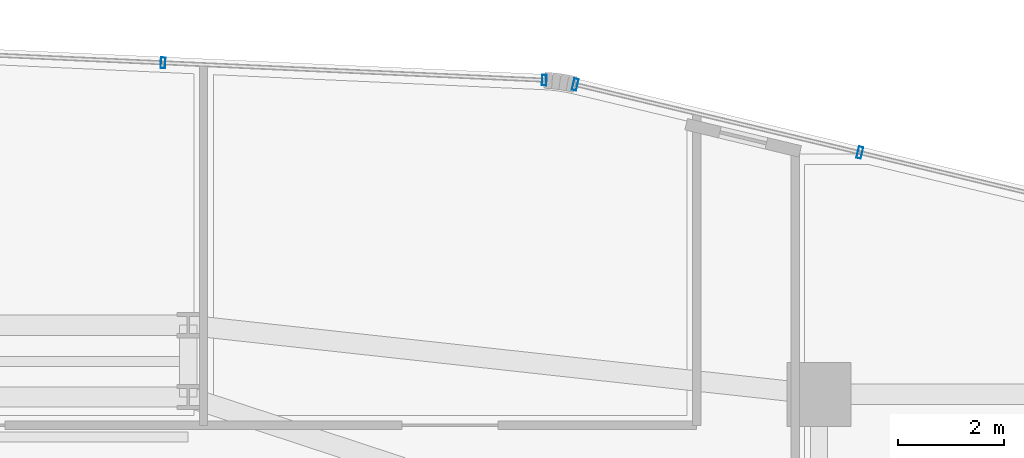
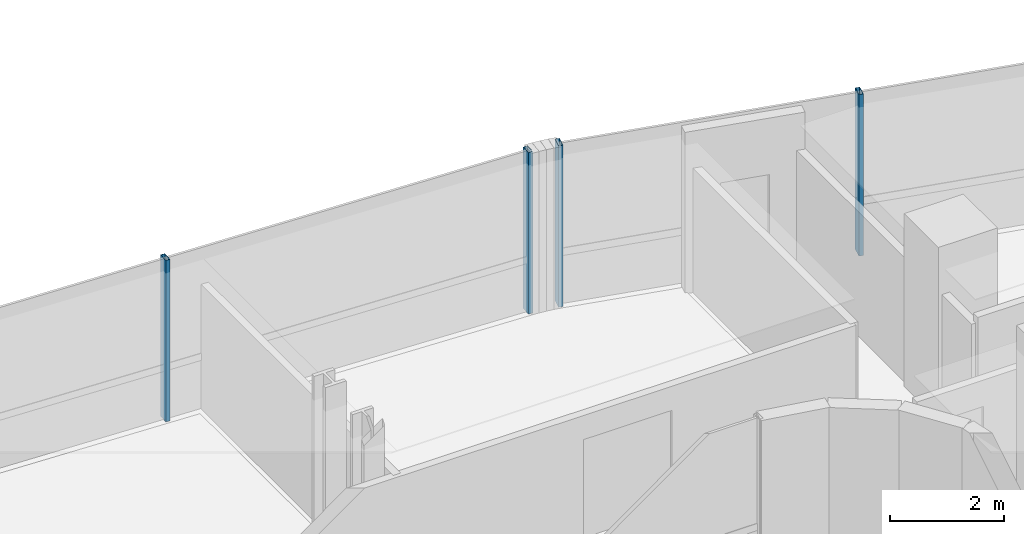
# One storey, part 22 of 35: 4 members, 2 elements without a shape of their own.
"""IFC4 building model written with IfcOpenShell, lengths in metres."""

import ifcopenshell
import ifcopenshell.guid

model = None  # the IFC model being written
_history = None  # IfcOwnerHistory: only IFC2X3 demands one
_inside = {}  # id of a spatial element -> (the spatial element, [elements in it])
_under = {}  # id of a project, library or spatial element -> (it, [spatial elements below it])
_declared = {}  # id of a project -> (the project, [libraries it declares])
_typed = {}  # id of a type object -> (the type object, [elements of that type])
_made_of = {}  # id of a material, layer set ... -> (it, [elements and type objects made of it])


def new_model(schema):
    """Start an empty IFC model of exactly this schema.

    Asked for "IFC4X3", IfcOpenShell would pick the latest addendum, in which some entities
    have other attributes; the version numbers below select the first issue.
    IFC2X3 requires an IfcOwnerHistory on every rooted entity: one is made here for all.
    """
    global model, _history
    if schema == "IFC4X3":
        model = ifcopenshell.file(schema_version=(4, 3, 0, 0))
    else:
        model = ifcopenshell.file(schema=schema)
    _inside.clear()
    _under.clear()
    _declared.clear()
    _typed.clear()
    _made_of.clear()
    _history = None
    if model.schema == "IFC2X3":
        org = make("IfcOrganization", Name="unknown")
        user = make(
            "IfcPersonAndOrganization",
            ThePerson=make("IfcPerson", FamilyName="unknown"),
            TheOrganization=org,
        )
        app = make(
            "IfcApplication",
            ApplicationDeveloper=org,
            Version="unknown",
            ApplicationFullName="unknown",
            ApplicationIdentifier="unknown",
        )
        _history = make(
            "IfcOwnerHistory",
            OwningUser=user,
            OwningApplication=app,
            ChangeAction="ADDED",
            CreationDate=0,
        )
    return model


def make(cls, **values):
    """One entity of the class cls with the attributes given. An attribute that is None is left unset."""
    return model.create_entity(
        cls, **{name: value for name, value in values.items() if value is not None}
    )


def rooted(cls, **values):
    """An entity with a GlobalId (a new one), such as an element, a storey or a relation."""
    return make(cls, GlobalId=ifcopenshell.guid.new(), OwnerHistory=_history, **values)


def si_unit(unit_type, name, prefix=None):
    """IfcSIUnit, for example si_unit("LENGTHUNIT", "METRE", prefix="MILLI")."""
    return make("IfcSIUnit", UnitType=unit_type, Prefix=prefix, Name=name)


def assignment(units):
    """IfcUnitAssignment: the units of a project."""
    return None if units is None else make("IfcUnitAssignment", Units=units)


def point(xyz):
    """IfcCartesianPoint."""
    return None if xyz is None else make("IfcCartesianPoint", Coordinates=xyz)


def direction(xyz):
    """IfcDirection."""
    return None if xyz is None else make("IfcDirection", DirectionRatios=xyz)


def frame(location, z_axis=None, x_axis=None):
    """IfcAxis2Placement3D, a coordinate frame: its origin and axes. An axis left out is left unset."""
    return make(
        "IfcAxis2Placement3D",
        Location=point(location),
        Axis=direction(z_axis),
        RefDirection=direction(x_axis),
    )


def frame_2d(location, x_axis=None):
    """IfcAxis2Placement2D, a coordinate frame in the plane: its origin and x axis."""
    return make(
        "IfcAxis2Placement2D", Location=point(location), RefDirection=direction(x_axis)
    )


def origin():
    """The frame at (0, 0, 0) with its axes left unset."""
    return frame((0.0, 0.0, 0.0))


def origin_2d():
    """The frame at (0, 0) in the plane with its x axis left unset."""
    return frame_2d((0.0, 0.0))


def place(relative_to, where):
    """IfcLocalPlacement: puts the frame where relative to a parent placement (None: the world)."""
    return make(
        "IfcLocalPlacement", PlacementRelTo=relative_to, RelativePlacement=where
    )


def context(
    kind, dimensions, precision=None, world=None, true_north=None, identifier=None
):
    """IfcGeometricRepresentationContext, for example the 3D "Model" context."""
    return make(
        "IfcGeometricRepresentationContext",
        ContextIdentifier=identifier,
        ContextType=kind,
        CoordinateSpaceDimension=dimensions,
        Precision=precision,
        WorldCoordinateSystem=world,
        TrueNorth=true_north,
    )


def subcontext(parent, identifier, kind, view, scale=None):
    """IfcGeometricRepresentationSubContext, for example "Body" below "Model"."""
    return make(
        "IfcGeometricRepresentationSubContext",
        ContextIdentifier=identifier,
        ContextType=kind,
        ParentContext=parent,
        TargetScale=scale,
        TargetView=view,
    )


def project(units=None, contexts=None):
    """IfcProject with its units and contexts."""
    return rooted(
        "IfcProject",
        Name="project",
        RepresentationContexts=contexts,
        UnitsInContext=assignment(units),
    )


def spatial(cls, under=None, at=None, **own):
    """A site, building, storey or space (cls), placed at a placement, below another one or the project."""
    s = rooted(cls, ObjectPlacement=at, **own)
    if under is not None:
        _under.setdefault(under.id(), (under, []))[1].append(s)
    return s


def profile(cls, at=None, kind="AREA", **sizes):
    """A parametric profile (cls). Its sizes go by their IFC names, for example OverallWidth=200.0."""
    return make(cls, ProfileType=kind, Position=at, **sizes)


def hollow_rectangle(**sizes):
    """IfcRectangleHollowProfileDef."""
    return profile("IfcRectangleHollowProfileDef", **sizes)


def extrude(swept, where, along, depth):
    """IfcExtrudedAreaSolid: the profile swept, set in the frame where, extruded along a direction by depth."""
    return make(
        "IfcExtrudedAreaSolid",
        SweptArea=swept,
        Position=where,
        ExtrudedDirection=direction(along),
        Depth=depth,
    )


def shape(context_of_items, identifier, shape_type, items):
    """IfcShapeRepresentation: the items that make up one representation, for example the "Body"."""
    return make(
        "IfcShapeRepresentation",
        ContextOfItems=context_of_items,
        RepresentationIdentifier=identifier,
        RepresentationType=shape_type,
        Items=items,
    )


def source(mapping_origin, context_of_items, identifier, shape_type, items):
    """IfcRepresentationMap: a shape defined once, which mapped items show again and again."""
    return make(
        "IfcRepresentationMap",
        MappingOrigin=mapping_origin,
        MappedRepresentation=shape(context_of_items, identifier, shape_type, items),
    )


def transform(
    local_origin,
    x_axis=None,
    y_axis=None,
    z_axis=None,
    scale=None,
    scale2=None,
    scale3=None,
    uniform=True,
):
    """IfcCartesianTransformationOperator3D, or its non-uniform kind. x_axis, y_axis, z_axis: its Axis1, 2, 3."""
    if uniform:
        return make(
            "IfcCartesianTransformationOperator3D",
            Axis1=direction(x_axis),
            Axis2=direction(y_axis),
            LocalOrigin=point(local_origin),
            Scale=scale,
            Axis3=direction(z_axis),
        )
    return make(
        "IfcCartesianTransformationOperator3DnonUniform",
        Axis1=direction(x_axis),
        Axis2=direction(y_axis),
        LocalOrigin=point(local_origin),
        Scale=scale,
        Axis3=direction(z_axis),
        Scale2=scale2,
        Scale3=scale3,
    )


def mapped(mapping_source, mapping_target):
    """IfcMappedItem: shows the shape of a source again, moved by a transform."""
    return make(
        "IfcMappedItem", MappingSource=mapping_source, MappingTarget=mapping_target
    )


def material(Name=None, Category=None):
    """IfcMaterial."""
    return make("IfcMaterial", Name=Name, Category=Category)


def material_profile(
    of_material, cross_section, Name=None, Category=None, Priority=None
):
    """IfcMaterialProfile: a cross section and its material."""
    return make(
        "IfcMaterialProfile",
        Name=Name,
        Material=of_material,
        Profile=cross_section,
        Priority=Priority,
        Category=Category,
    )


def profile_set(profiles, Name=None, composite=None):
    """IfcMaterialProfileSet."""
    return make(
        "IfcMaterialProfileSet",
        Name=Name,
        MaterialProfiles=profiles,
        CompositeProfile=composite,
    )


def made_of(thing, what):
    """Note that an element or type object is made of a material, layer set ...; save() writes the relation."""
    if what is not None:
        _made_of.setdefault(what.id(), (what, []))[1].append(thing)
    return thing


def type_object(cls, material=None, **own):
    """A type object (cls), such as IfcWallType, which elements share."""
    return made_of(rooted(cls, **own), material)


def element(
    cls,
    number,
    at=None,
    inside=None,
    cuts=None,
    type_object=None,
    material=None,
    context=None,
    identifier="Body",
    shape_type=None,
    held_by="IfcProductDefinitionShape",
    body=None,
    shapes=None,
    **own,
):
    """One element of the class cls, such as IfcWall. Its Tag is "e" and its number.

    at: its placement. inside: the storey or other place that contains it. cuts: it is an
    opening in that element (IfcRelVoidsElement). A single representation is given by context,
    identifier, shape_type and body (its items); several are given by shapes. held_by: the class
    of the entity that holds the representations. save() writes the other relations.
    """
    e = rooted(cls, Tag="e%d" % number, ObjectPlacement=at, **own)
    if body is not None:
        shapes = [shape(context, identifier, shape_type, body)]
    if shapes is not None:
        e.Representation = make(held_by, Representations=shapes)
    if inside is not None:
        _inside.setdefault(inside.id(), (inside, []))[1].append(e)
    if cuts is not None:
        rooted(
            "IfcRelVoidsElement", RelatingBuildingElement=cuts, RelatedOpeningElement=e
        )
    if type_object is not None:
        _typed.setdefault(type_object.id(), (type_object, []))[1].append(e)
    return made_of(e, material)


def aggregate(whole, parts):
    """IfcRelAggregates: a whole, such as a stair, and the parts it consists of."""
    return rooted("IfcRelAggregates", RelatingObject=whole, RelatedObjects=parts)


def save(model, path):
    """Write the relations noted so far, then the file.

    IfcRelAggregates (storeys below a building ...), IfcRelContainedInSpatialStructure (elements
    in a storey), IfcRelDefinesByType, IfcRelAssociatesMaterial and IfcRelDeclares: one each for
    every whole, place, type object, material and project.
    """
    for whole, parts in _under.values():
        aggregate(whole, parts)
    for where, things in _inside.values():
        rooted(
            "IfcRelContainedInSpatialStructure",
            RelatedElements=things,
            RelatingStructure=where,
        )
    for kind, things in _typed.values():
        rooted("IfcRelDefinesByType", RelatedObjects=things, RelatingType=kind)
    for what, things in _made_of.values():
        rooted("IfcRelAssociatesMaterial", RelatedObjects=things, RelatingMaterial=what)
    for by, libraries in _declared.values():
        rooted("IfcRelDeclares", RelatingContext=by, RelatedDefinitions=libraries)
    model.write(path)


model = new_model("IFC4")

# Units and contexts
model_context = context("Model", 3, precision=1e-05, world=origin(), true_north=direction((0.0, 1.0)))
body_context = subcontext(model_context, "Body", "Model", "MODEL_VIEW")
ifc_project = project(units=[si_unit("LENGTHUNIT", "METRE"), si_unit("AREAUNIT", "SQUARE_METRE"), si_unit("VOLUMEUNIT", "CUBIC_METRE"), si_unit("PLANEANGLEUNIT", "RADIAN"), si_unit("MASSUNIT", "GRAM", prefix="KILO")], contexts=[model_context])

# Site, building, storey
site_placement = place(None, origin())
site = spatial("IfcSite", under=ifc_project, at=site_placement, CompositionType="ELEMENT")
building_placement = place(site_placement, origin())
building = spatial("IfcBuilding", under=site, at=building_placement, Name="Valdorenza Pilgrim Sanctuary Tower", CompositionType="ELEMENT")
storey_placement = place(building_placement, frame((0.0, 0.0, 139.0)))
storey = spatial("IfcBuildingStorey", under=building, at=storey_placement, Name="L35", CompositionType="ELEMENT", Elevation=139.0)

# Curtain wall, members
ifc_material_1 = material(Name="Curtain-wall IGU glazing", Category="glass")
curtain_wall_type_1 = type_object("IfcCurtainWallType", Name="CW-SYS-02", PredefinedType="NOTDEFINED", material=ifc_material_1)
curtain_wall_1_placement = place(storey_placement, origin())
curtain_wall_1 = element("IfcCurtainWall", 1, at=curtain_wall_1_placement, inside=storey, type_object=curtain_wall_type_1, Name="L35 Curtain Wall CW-L35-1-11", PredefinedType="NOTDEFINED")
ifc_material_2 = material(Name="Anodised aluminium AW-6060", Category="aluminium")
ifc_material_profile_1 = material_profile(ifc_material_2, hollow_rectangle(XDim=0.0849609375, YDim=0.199951171875, WallThickness=0.0048828125, at=origin_2d()), Name="ALU-M 200x85x5")
ifc_profile_set_1 = profile_set([ifc_material_profile_1], Name="Anodised aluminium AW-6060")
member_type_1 = type_object("IfcMemberType", Name="CW-MUL-02", PredefinedType="MULLION", material=ifc_profile_set_1)
shared_shape_1 = source(origin(), body_context, "Body", "SweptSolid", [
    extrude(hollow_rectangle(XDim=0.0849609375, YDim=0.199951171875, WallThickness=0.0048828125, at=origin_2d()), origin(), (0.0, 0.0, 1.0), 3.4599609375),
])
member_1_placement = place(storey_placement, frame((3.528076171875, 19.7294921875, 0.0), z_axis=(0.0, 0.0, 1.0), x_axis=(0.998968193221, -0.045415294044, 0.0)))
member_1 = element("IfcMember", 2, at=member_1_placement, type_object=member_type_1, Name="CW-L35-1-11 Mullion 3", PredefinedType="MULLION", context=body_context, shape_type="MappedRepresentation", body=[
    mapped(shared_shape_1, transform((0.0, 0.0, 0.0), x_axis=(1.0, 0.0, 0.0), y_axis=(0.0, 1.0, 0.0), z_axis=(0.0, 0.0, 1.0), scale=1.0)),
])
member_2_placement = place(storey_placement, frame((10.68994140625, 19.404052734375, 0.0), z_axis=(0.0, 0.0, 1.0), x_axis=(0.998968193221, -0.045415294044, 0.0)))
member_2 = element("IfcMember", 3, at=member_2_placement, type_object=member_type_1, Name="CW-L35-1-11 Mullion 4", PredefinedType="MULLION", context=body_context, shape_type="MappedRepresentation", body=[
    mapped(shared_shape_1, transform((0.0, 0.0, 0.0), x_axis=(1.0, 0.0, 0.0), y_axis=(0.0, 1.0, 0.0), z_axis=(0.0, 0.0, 1.0), scale=1.0)),
])
aggregate(curtain_wall_1, [member_1, member_2])

curtain_wall_type_2 = type_object("IfcCurtainWallType", Name="CW-SYS-03", PredefinedType="NOTDEFINED", material=ifc_material_1)
curtain_wall_2_placement = place(storey_placement, origin())
curtain_wall_2 = element("IfcCurtainWall", 4, at=curtain_wall_2_placement, inside=storey, type_object=curtain_wall_type_2, Name="L35 Curtain Wall CW-L35-1-16", PredefinedType="NOTDEFINED")
ifc_material_profile_2 = material_profile(ifc_material_2, hollow_rectangle(XDim=0.0849609375, YDim=0.219970703125, WallThickness=0.0048828125, at=origin_2d()), Name="ALU-M 220x85x5")
ifc_profile_set_2 = profile_set([ifc_material_profile_2], Name="Anodised aluminium AW-6060")
member_type_2 = type_object("IfcMemberType", Name="CW-MUL-03", PredefinedType="MULLION", material=ifc_profile_set_2)
shared_shape_2 = source(origin(), body_context, "Body", "SweptSolid", [
    extrude(hollow_rectangle(XDim=0.0849609375, YDim=0.219970703125, WallThickness=0.0048828125, at=origin_2d()), origin(), (0.0, 0.0, 1.0), 3.4599609375),
])
member_3_placement = place(storey_placement, frame((11.271484375, 19.322021484375, 0.0), z_axis=(0.0, 0.0, 1.0), x_axis=(0.972528596343, -0.232783438617, 0.0)))
member_3 = element("IfcMember", 5, at=member_3_placement, type_object=member_type_2, Name="CW-L35-1-16 Mullion 1", PredefinedType="MULLION", context=body_context, shape_type="MappedRepresentation", body=[
    mapped(shared_shape_2, transform((0.0, 0.0, 0.0), x_axis=(1.0, 0.0, 0.0), y_axis=(0.0, 1.0, 0.0), z_axis=(0.0, 0.0, 1.0), scale=1.0)),
])
member_4_placement = place(storey_placement, frame((16.617919921875, 18.042236328125, 0.0), z_axis=(0.0, 0.0, 1.0), x_axis=(0.972528596343, -0.232783438617, 0.0)))
member_4 = element("IfcMember", 6, at=member_4_placement, type_object=member_type_2, Name="CW-L35-1-16 Mullion 2", PredefinedType="MULLION", context=body_context, shape_type="MappedRepresentation", body=[
    mapped(shared_shape_2, transform((0.0, 0.0, 0.0), x_axis=(1.0, 0.0, 0.0), y_axis=(0.0, 1.0, 0.0), z_axis=(0.0, 0.0, 1.0), scale=1.0)),
])
aggregate(curtain_wall_2, [member_3, member_4])

save(model, "model.ifc")
